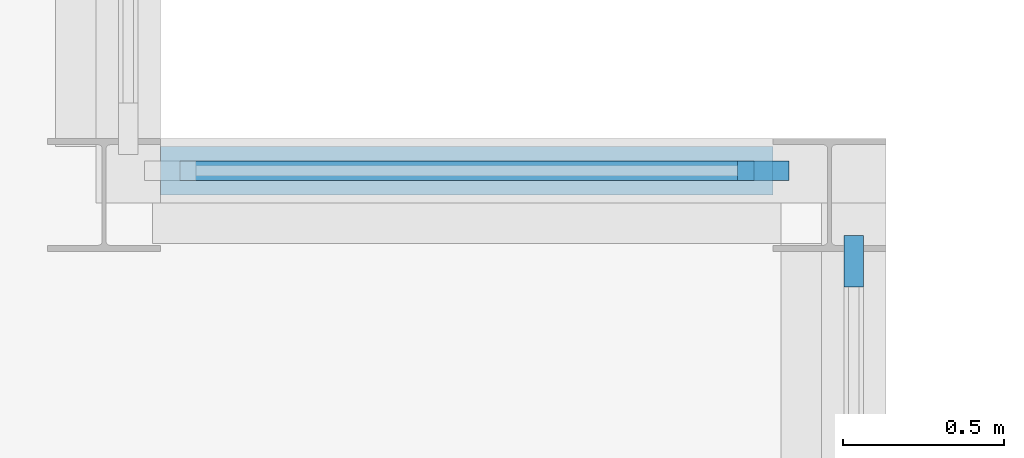
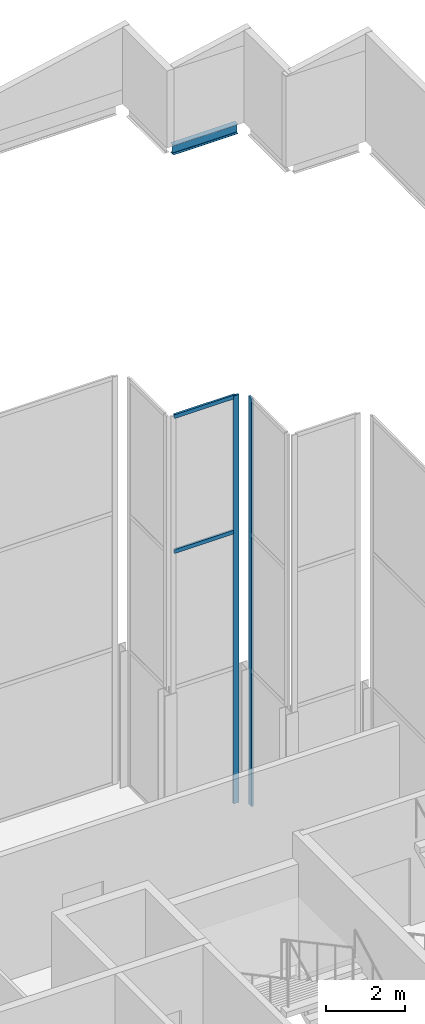
# One storey, part 10 of 23: 4 members, 1 beam, 2 elements without a shape of their own.
"""IFC4 building model written with IfcOpenShell, lengths in metres."""

from ifc_helpers import new_model, si_unit, direction, frame, origin, origin_2d, place, context, subcontext, project, spatial, rectangle, i_section, extrude, material, layer, layer_set, material_profile, profile_set, type_object, element, aggregate, save


model = new_model("IFC4")

# Units and contexts
model_context = context("Model", 3, precision=1e-05, world=origin(), true_north=direction((0.0, 1.0)))
body_context = subcontext(model_context, "Body", "Model", "MODEL_VIEW")
ifc_project = project(units=[si_unit("LENGTHUNIT", "METRE"), si_unit("AREAUNIT", "SQUARE_METRE"), si_unit("VOLUMEUNIT", "CUBIC_METRE"), si_unit("PLANEANGLEUNIT", "RADIAN"), si_unit("MASSUNIT", "GRAM", prefix="KILO")], contexts=[model_context])

# Site, building, storey
site_placement = place(None, origin())
site = spatial("IfcSite", under=ifc_project, at=site_placement, CompositionType="ELEMENT")
building_placement = place(site_placement, origin())
building = spatial("IfcBuilding", under=site, at=building_placement, Name="Caravel Reach Hotel and Residences", CompositionType="ELEMENT")
storey_placement = place(building_placement, frame((0.0, 0.0, 312.800048828125)))
storey = spatial("IfcBuildingStorey", under=building, at=storey_placement, Name="L79", CompositionType="ELEMENT", Elevation=312.800048828125)

# Beam
ifc_material_1 = material(Name="Structural steel Q355B", Category="steel")
ifc_material_profile_1 = material_profile(ifc_material_1, i_section(OverallWidth=0.14990234375, OverallDepth=0.300048828125, WebThickness=0.006591796875, FlangeThickness=0.009033203125, FilletRadius=0.012939453125, at=origin_2d()), Name="HN 300x150x6.5x9")
ifc_profile_set_1 = profile_set([ifc_material_profile_1], Name="Structural steel Q355B")
beam_type = type_object("IfcBeamType", Name="Beam HN 300x150x6.5x9", PredefinedType="BEAM", material=ifc_profile_set_1)
beam_placement = place(storey_placement, frame((47.074951171875, 38.324951171875, 20.849853515625), z_axis=(-1.0, 0.0, 0.0), x_axis=(0.0, -1.0, 0.0)))
element("IfcBeam", 1, at=beam_placement, inside=storey, type_object=beam_type, Name="Eave tie beam east 8.1", PredefinedType="BEAM", context=body_context, shape_type="SweptSolid", body=[
    extrude(i_section(OverallWidth=0.14990234375, OverallDepth=0.300048828125, WebThickness=0.006591796875, FlangeThickness=0.009033203125, FilletRadius=0.012939453125, at=origin_2d()), origin(), (0.0, 0.0, 1.0), 1.89990234375),
])

# Curtain wall, member
ifc_material_2 = material(Name="Dark low-e glazing in black aluminium frame", Category="aluminium")
ifc_layer = layer(ifc_material_2, 0.199951171875)
ifc_layer_set = layer_set([ifc_layer], Name="CW4 Crown glazing")
curtain_wall_type = type_object("IfcCurtainWallType", Name="CW4 Crown glazing", PredefinedType="NOTDEFINED", material=ifc_layer_set)
curtain_wall_1_placement = place(storey_placement, origin())
curtain_wall_1 = element("IfcCurtainWall", 2, at=curtain_wall_1_placement, inside=storey, type_object=curtain_wall_type, Name="Crown glazing b0", PredefinedType="NOTDEFINED")
ifc_material_3 = material(Name="Anodised aluminium alloy 6063-T5, black", Category="aluminium")
ifc_material_profile_2 = material_profile(ifc_material_3, rectangle(XDim=0.06005859375, YDim=0.159912109375, at=origin_2d()), Name="CW mullion 60 x 160")
ifc_profile_set_2 = profile_set([ifc_material_profile_2], Name="Anodised aluminium alloy 6063-T5, black")
member_type_1 = type_object("IfcMemberType", Name="CW mullion 60 x 160", PredefinedType="MULLION", material=ifc_profile_set_2)
member_1_placement = place(storey_placement, frame((47.324951171875, 38.044921875, 0.0), z_axis=(0.0, 0.0, 1.0), x_axis=(-1.0, 0.0, 0.0)))
member_1 = element("IfcMember", 3, at=member_1_placement, type_object=member_type_1, Name="CW4 mullion 2", PredefinedType="MULLION", context=body_context, shape_type="SweptSolid", body=[
    extrude(rectangle(XDim=0.06005859375, YDim=0.159912109375, at=origin_2d()), origin(), (0.0, 0.0, 1.0), 12.599853515625),
])
aggregate(curtain_wall_1, [member_1])

# Curtain wall, members
curtain_wall_2_placement = place(storey_placement, origin())
curtain_wall_2 = element("IfcCurtainWall", 4, at=curtain_wall_2_placement, inside=storey, type_object=curtain_wall_type, Name="Crown glazing b0", PredefinedType="NOTDEFINED")
member_2_placement = place(storey_placement, frame((47.044921875, 38.324951171875, 0.0), z_axis=(0.0, 0.0, 1.0), x_axis=(0.0, -1.0, 0.0)))
member_2 = element("IfcMember", 5, at=member_2_placement, type_object=member_type_1, Name="CW4 mullion 1", PredefinedType="MULLION", context=body_context, shape_type="SweptSolid", body=[
    extrude(rectangle(XDim=0.06005859375, YDim=0.159912109375, at=origin_2d()), origin(), (0.0, 0.0, 1.0), 12.599853515625),
])
ifc_material_4 = material(Name="Anodised aluminium alloy 6063-T5, black", Category="aluminium")
ifc_material_profile_3 = material_profile(ifc_material_4, rectangle(XDim=0.06005859375, YDim=0.1201171875, at=origin_2d()), Name="CW transom 60 x 120")
ifc_profile_set_3 = profile_set([ifc_material_profile_3], Name="Anodised aluminium alloy 6063-T5, black")
member_type_2 = type_object("IfcMemberType", Name="CW transom 60 x 120", PredefinedType="USERDEFINED", material=ifc_profile_set_3)
member_3_placement = place(storey_placement, frame((47.014892578125, 38.324951171875, 8.39990234375), z_axis=(-1.0, 0.0, 0.0), x_axis=(0.0, -1.0, 0.0)))
member_3 = element("IfcMember", 6, at=member_3_placement, type_object=member_type_2, Name="CW4 transom 1.3", ObjectType="TRANSOM", PredefinedType="USERDEFINED", context=body_context, shape_type="SweptSolid", body=[
    extrude(rectangle(XDim=0.06005859375, YDim=0.1201171875, at=origin_2d()), origin(), (0.0, 0.0, 1.0), 1.77978515625),
])
member_4_placement = place(storey_placement, frame((47.014892578125, 38.324951171875, 12.570068359375), z_axis=(-1.0, 0.0, 0.0), x_axis=(0.0, -1.0, 0.0)))
member_4 = element("IfcMember", 7, at=member_4_placement, type_object=member_type_2, Name="CW4 transom 1.4", ObjectType="TRANSOM", PredefinedType="USERDEFINED", context=body_context, shape_type="SweptSolid", body=[
    extrude(rectangle(XDim=0.06005859375, YDim=0.1201171875, at=origin_2d()), origin(), (0.0, 0.0, 1.0), 1.77978515625),
])
aggregate(curtain_wall_2, [member_2, member_3, member_4])

save(model, "model.ifc")
